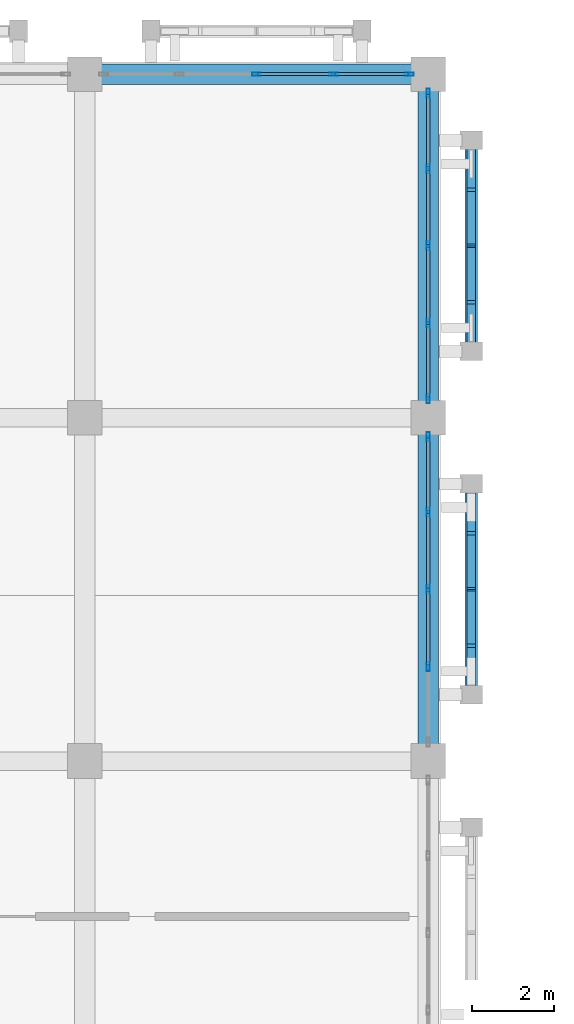
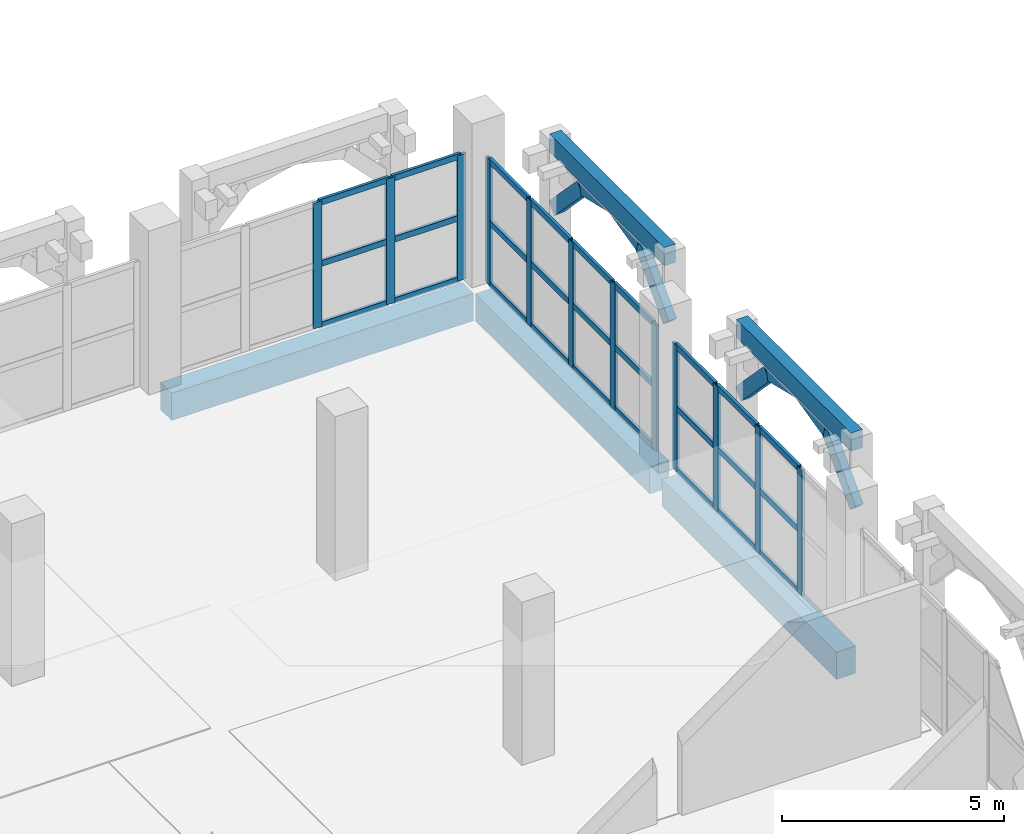
# One storey, part 57 of 129: 47 members, 5 beams, 3 elements without a shape of their own.
"""IFC4 building model written with IfcOpenShell, lengths in metres."""

from ifc_helpers import new_model, si_unit, direction, frame, origin, origin_2d, place, context, subcontext, project, spatial, rectangle, hollow_rectangle, extrude, material, layer, layer_set, material_profile, profile_set, type_object, element, aggregate, save


model = new_model("IFC4")

# Units and contexts
model_context = context("Model", 3, precision=1e-05, world=origin(), true_north=direction((0.0, 1.0)))
body_context = subcontext(model_context, "Body", "Model", "MODEL_VIEW")
ifc_project = project(units=[si_unit("LENGTHUNIT", "METRE"), si_unit("AREAUNIT", "SQUARE_METRE"), si_unit("VOLUMEUNIT", "CUBIC_METRE"), si_unit("PLANEANGLEUNIT", "RADIAN"), si_unit("MASSUNIT", "GRAM", prefix="KILO")], contexts=[model_context])

# Site, building, storey
site_placement = place(None, origin())
site = spatial("IfcSite", under=ifc_project, at=site_placement, CompositionType="ELEMENT")
building_placement = place(site_placement, origin())
building = spatial("IfcBuilding", under=site, at=building_placement, Name="Xazarin Passage Department Store", CompositionType="ELEMENT")
storey_placement = place(building_placement, frame((0.0, 0.0, 9.89990234375)))
storey = spatial("IfcBuildingStorey", under=building, at=storey_placement, Name="L02", CompositionType="ELEMENT", Elevation=9.89990234375)

# Curtain wall, members
ifc_material_1 = material(Name="Bronze anodised aluminium", Category="aluminium")
ifc_layer = layer(ifc_material_1, 0.199951171875)
ifc_layer_set = layer_set([ifc_layer], Name="Bronze anodised aluminium")
curtain_wall_type = type_object("IfcCurtainWallType", Name="ARC-CW-VIT2", PredefinedType="NOTDEFINED", material=ifc_layer_set)
curtain_wall_1_placement = place(storey_placement, origin())
curtain_wall_1 = element("IfcCurtainWall", 1, at=curtain_wall_1_placement, inside=storey, type_object=curtain_wall_type, Name="L02 V1 Curtain Wall 044", PredefinedType="NOTDEFINED")
ifc_material_profile_1 = material_profile(ifc_material_1, hollow_rectangle(XDim=0.074951171875, YDim=0.219970703125, WallThickness=0.0048828125, at=origin_2d()), Name="ALU 75x220")
ifc_profile_set_1 = profile_set([ifc_material_profile_1], Name="Bronze anodised aluminium")
member_type_1 = type_object("IfcMemberType", Name="ARC-CWM-75x220", PredefinedType="MULLION", material=ifc_profile_set_1)
member_1_placement = place(storey_placement, frame((46.199951171875, 110.0, 0.0), z_axis=(0.0, 0.0, 1.0), x_axis=(0.0, 1.0, 0.0)))
member_1 = element("IfcMember", 2, at=member_1_placement, type_object=member_type_1, Name="CW2 mullion 3", PredefinedType="MULLION", context=body_context, shape_type="SweptSolid", body=[
    extrude(hollow_rectangle(XDim=0.074951171875, YDim=0.219970703125, WallThickness=0.0048828125, at=origin_2d()), origin(), (0.0, 0.0, 1.0), 3.4501953125),
])
member_2_placement = place(storey_placement, frame((48.08740234375, 110.0, 0.0), z_axis=(0.0, 0.0, 1.0), x_axis=(0.0, 1.0, 0.0)))
member_2 = element("IfcMember", 3, at=member_2_placement, type_object=member_type_1, Name="CW2 mullion 4", PredefinedType="MULLION", context=body_context, shape_type="SweptSolid", body=[
    extrude(hollow_rectangle(XDim=0.074951171875, YDim=0.219970703125, WallThickness=0.0048828125, at=origin_2d()), origin(), (0.0, 0.0, 1.0), 3.4501953125),
])
member_3_placement = place(storey_placement, frame((49.9375, 110.0, 0.0), z_axis=(0.0, 0.0, 1.0), x_axis=(0.0, 1.0, 0.0)))
member_3 = element("IfcMember", 4, at=member_3_placement, type_object=member_type_1, Name="CW2 mullion 5", PredefinedType="MULLION", context=body_context, shape_type="SweptSolid", body=[
    extrude(hollow_rectangle(XDim=0.074951171875, YDim=0.219970703125, WallThickness=0.0048828125, at=origin_2d()), origin(), (0.0, 0.0, 1.0), 3.4501953125),
])

curtain_wall_2_placement = place(storey_placement, origin())
curtain_wall_2 = element("IfcCurtainWall", 5, at=curtain_wall_2_placement, inside=storey, type_object=curtain_wall_type, Name="L02 V1 Curtain Wall 053", PredefinedType="NOTDEFINED")
member_4_placement = place(storey_placement, frame((50.39990234375, 95.512451171875, 0.0), z_axis=(0.0, 0.0, 1.0), x_axis=(-1.0, 0.0, 0.0)))
member_4 = element("IfcMember", 6, at=member_4_placement, type_object=member_type_1, Name="CW2 mullion 2", PredefinedType="MULLION", context=body_context, shape_type="SweptSolid", body=[
    extrude(hollow_rectangle(XDim=0.074951171875, YDim=0.219970703125, WallThickness=0.0048828125, at=origin_2d()), origin(), (0.0, 0.0, 1.0), 3.4501953125),
])
member_5_placement = place(storey_placement, frame((50.39990234375, 97.39990234375, 0.0), z_axis=(0.0, 0.0, 1.0), x_axis=(-1.0, 0.0, 0.0)))
member_5 = element("IfcMember", 7, at=member_5_placement, type_object=member_type_1, Name="CW2 mullion 3", PredefinedType="MULLION", context=body_context, shape_type="SweptSolid", body=[
    extrude(hollow_rectangle(XDim=0.074951171875, YDim=0.219970703125, WallThickness=0.0048828125, at=origin_2d()), origin(), (0.0, 0.0, 1.0), 3.4501953125),
])
member_6_placement = place(storey_placement, frame((50.39990234375, 99.28759765625, 0.0), z_axis=(0.0, 0.0, 1.0), x_axis=(-1.0, 0.0, 0.0)))
member_6 = element("IfcMember", 8, at=member_6_placement, type_object=member_type_1, Name="CW2 mullion 4", PredefinedType="MULLION", context=body_context, shape_type="SweptSolid", body=[
    extrude(hollow_rectangle(XDim=0.074951171875, YDim=0.219970703125, WallThickness=0.0048828125, at=origin_2d()), origin(), (0.0, 0.0, 1.0), 3.4501953125),
])
member_7_placement = place(storey_placement, frame((50.39990234375, 101.137451171875, 0.0), z_axis=(0.0, 0.0, 1.0), x_axis=(-1.0, 0.0, 0.0)))
member_7 = element("IfcMember", 9, at=member_7_placement, type_object=member_type_1, Name="CW2 mullion 5", PredefinedType="MULLION", context=body_context, shape_type="SweptSolid", body=[
    extrude(hollow_rectangle(XDim=0.074951171875, YDim=0.219970703125, WallThickness=0.0048828125, at=origin_2d()), origin(), (0.0, 0.0, 1.0), 3.4501953125),
])

curtain_wall_3_placement = place(storey_placement, origin())
curtain_wall_3 = element("IfcCurtainWall", 10, at=curtain_wall_3_placement, inside=storey, type_object=curtain_wall_type, Name="L02 V1 Curtain Wall 054", PredefinedType="NOTDEFINED")
member_8_placement = place(storey_placement, frame((50.39990234375, 102.0625, 0.0), z_axis=(0.0, 0.0, 1.0), x_axis=(-1.0, 0.0, 0.0)))
member_8 = element("IfcMember", 11, at=member_8_placement, type_object=member_type_1, Name="CW2 mullion 1", PredefinedType="MULLION", context=body_context, shape_type="SweptSolid", body=[
    extrude(hollow_rectangle(XDim=0.074951171875, YDim=0.219970703125, WallThickness=0.0048828125, at=origin_2d()), origin(), (0.0, 0.0, 1.0), 3.4501953125),
])
member_9_placement = place(storey_placement, frame((50.39990234375, 103.91259765625, 0.0), z_axis=(0.0, 0.0, 1.0), x_axis=(-1.0, 0.0, 0.0)))
member_9 = element("IfcMember", 12, at=member_9_placement, type_object=member_type_1, Name="CW2 mullion 2", PredefinedType="MULLION", context=body_context, shape_type="SweptSolid", body=[
    extrude(hollow_rectangle(XDim=0.074951171875, YDim=0.219970703125, WallThickness=0.0048828125, at=origin_2d()), origin(), (0.0, 0.0, 1.0), 3.4501953125),
])
member_10_placement = place(storey_placement, frame((50.39990234375, 105.800048828125, 0.0), z_axis=(0.0, 0.0, 1.0), x_axis=(-1.0, 0.0, 0.0)))
member_10 = element("IfcMember", 13, at=member_10_placement, type_object=member_type_1, Name="CW2 mullion 3", PredefinedType="MULLION", context=body_context, shape_type="SweptSolid", body=[
    extrude(hollow_rectangle(XDim=0.074951171875, YDim=0.219970703125, WallThickness=0.0048828125, at=origin_2d()), origin(), (0.0, 0.0, 1.0), 3.4501953125),
])
member_11_placement = place(storey_placement, frame((50.39990234375, 107.6875, 0.0), z_axis=(0.0, 0.0, 1.0), x_axis=(-1.0, 0.0, 0.0)))
member_11 = element("IfcMember", 14, at=member_11_placement, type_object=member_type_1, Name="CW2 mullion 4", PredefinedType="MULLION", context=body_context, shape_type="SweptSolid", body=[
    extrude(hollow_rectangle(XDim=0.074951171875, YDim=0.219970703125, WallThickness=0.0048828125, at=origin_2d()), origin(), (0.0, 0.0, 1.0), 3.4501953125),
])
member_12_placement = place(storey_placement, frame((50.39990234375, 109.53759765625, 0.0), z_axis=(0.0, 0.0, 1.0), x_axis=(-1.0, 0.0, 0.0)))
member_12 = element("IfcMember", 15, at=member_12_placement, type_object=member_type_1, Name="CW2 mullion 5", PredefinedType="MULLION", context=body_context, shape_type="SweptSolid", body=[
    extrude(hollow_rectangle(XDim=0.074951171875, YDim=0.219970703125, WallThickness=0.0048828125, at=origin_2d()), origin(), (0.0, 0.0, 1.0), 3.4501953125),
])

# Member
ifc_material_profile_2 = material_profile(ifc_material_1, hollow_rectangle(XDim=0.074951171875, YDim=0.159912109375, WallThickness=0.00439453125, at=origin_2d()), Name="ALU 75x160")
ifc_profile_set_2 = profile_set([ifc_material_profile_2], Name="Bronze anodised aluminium")
member_type_2 = type_object("IfcMemberType", Name="ARC-CWT-75x160", PredefinedType="USERDEFINED", material=ifc_profile_set_2)
member_13_placement = place(storey_placement, frame((46.237548828125, 110.0, 0.03759765625), z_axis=(1.0, 0.0, 0.0), x_axis=(0.0, 1.0, 0.0)))
member_13 = element("IfcMember", 16, at=member_13_placement, type_object=member_type_2, Name="CW2 transom 3.1", ObjectType="TRANSOM", PredefinedType="USERDEFINED", context=body_context, shape_type="SweptSolid", body=[
    extrude(hollow_rectangle(XDim=0.074951171875, YDim=0.159912109375, WallThickness=0.00439453125, at=origin_2d()), origin(), (0.0, 0.0, 1.0), 1.8125),
])

member_14_placement = place(storey_placement, frame((46.237548828125, 110.0, 1.72509765625), z_axis=(1.0, 0.0, 0.0), x_axis=(0.0, 1.0, 0.0)))
member_14 = element("IfcMember", 17, at=member_14_placement, type_object=member_type_2, Name="CW2 transom 3.2", ObjectType="TRANSOM", PredefinedType="USERDEFINED", context=body_context, shape_type="SweptSolid", body=[
    extrude(hollow_rectangle(XDim=0.074951171875, YDim=0.159912109375, WallThickness=0.00439453125, at=origin_2d()), origin(), (0.0, 0.0, 1.0), 1.8125),
])

member_15_placement = place(storey_placement, frame((46.237548828125, 110.0, 3.41259765625), z_axis=(1.0, 0.0, 0.0), x_axis=(0.0, 1.0, 0.0)))
member_15 = element("IfcMember", 18, at=member_15_placement, type_object=member_type_2, Name="CW2 transom 3.3", ObjectType="TRANSOM", PredefinedType="USERDEFINED", context=body_context, shape_type="SweptSolid", body=[
    extrude(hollow_rectangle(XDim=0.074951171875, YDim=0.159912109375, WallThickness=0.00439453125, at=origin_2d()), origin(), (0.0, 0.0, 1.0), 1.8125),
])

member_16_placement = place(storey_placement, frame((48.125, 110.0, 0.03759765625), z_axis=(1.0, 0.0, 0.0), x_axis=(0.0, 1.0, 0.0)))
member_16 = element("IfcMember", 19, at=member_16_placement, type_object=member_type_2, Name="CW2 transom 4.1", ObjectType="TRANSOM", PredefinedType="USERDEFINED", context=body_context, shape_type="SweptSolid", body=[
    extrude(hollow_rectangle(XDim=0.074951171875, YDim=0.159912109375, WallThickness=0.00439453125, at=origin_2d()), origin(), (0.0, 0.0, 1.0), 1.77490234375),
])

member_17_placement = place(storey_placement, frame((48.125, 110.0, 1.72509765625), z_axis=(1.0, 0.0, 0.0), x_axis=(0.0, 1.0, 0.0)))
member_17 = element("IfcMember", 20, at=member_17_placement, type_object=member_type_2, Name="CW2 transom 4.2", ObjectType="TRANSOM", PredefinedType="USERDEFINED", context=body_context, shape_type="SweptSolid", body=[
    extrude(hollow_rectangle(XDim=0.074951171875, YDim=0.159912109375, WallThickness=0.00439453125, at=origin_2d()), origin(), (0.0, 0.0, 1.0), 1.77490234375),
])

member_18_placement = place(storey_placement, frame((48.125, 110.0, 3.41259765625), z_axis=(1.0, 0.0, 0.0), x_axis=(0.0, 1.0, 0.0)))
member_18 = element("IfcMember", 21, at=member_18_placement, type_object=member_type_2, Name="CW2 transom 4.3", ObjectType="TRANSOM", PredefinedType="USERDEFINED", context=body_context, shape_type="SweptSolid", body=[
    extrude(hollow_rectangle(XDim=0.074951171875, YDim=0.159912109375, WallThickness=0.00439453125, at=origin_2d()), origin(), (0.0, 0.0, 1.0), 1.77490234375),
])

aggregate(curtain_wall_1, [member_1, member_2, member_3, member_13, member_14, member_15, member_16, member_17, member_18])

member_19_placement = place(storey_placement, frame((50.39990234375, 95.550048828125, 0.03759765625), z_axis=(0.0, 1.0, 0.0), x_axis=(-1.0, 0.0, 0.0)))
member_19 = element("IfcMember", 22, at=member_19_placement, type_object=member_type_2, Name="CW2 transom 2.1", ObjectType="TRANSOM", PredefinedType="USERDEFINED", context=body_context, shape_type="SweptSolid", body=[
    extrude(hollow_rectangle(XDim=0.074951171875, YDim=0.159912109375, WallThickness=0.00439453125, at=origin_2d()), origin(), (0.0, 0.0, 1.0), 1.8125),
])

member_20_placement = place(storey_placement, frame((50.39990234375, 95.550048828125, 1.72509765625), z_axis=(0.0, 1.0, 0.0), x_axis=(-1.0, 0.0, 0.0)))
member_20 = element("IfcMember", 23, at=member_20_placement, type_object=member_type_2, Name="CW2 transom 2.2", ObjectType="TRANSOM", PredefinedType="USERDEFINED", context=body_context, shape_type="SweptSolid", body=[
    extrude(hollow_rectangle(XDim=0.074951171875, YDim=0.159912109375, WallThickness=0.00439453125, at=origin_2d()), origin(), (0.0, 0.0, 1.0), 1.8125),
])

member_21_placement = place(storey_placement, frame((50.39990234375, 95.550048828125, 3.41259765625), z_axis=(0.0, 1.0, 0.0), x_axis=(-1.0, 0.0, 0.0)))
member_21 = element("IfcMember", 24, at=member_21_placement, type_object=member_type_2, Name="CW2 transom 2.3", ObjectType="TRANSOM", PredefinedType="USERDEFINED", context=body_context, shape_type="SweptSolid", body=[
    extrude(hollow_rectangle(XDim=0.074951171875, YDim=0.159912109375, WallThickness=0.00439453125, at=origin_2d()), origin(), (0.0, 0.0, 1.0), 1.8125),
])

member_22_placement = place(storey_placement, frame((50.39990234375, 97.4375, 0.03759765625), z_axis=(0.0, 1.0, 0.0), x_axis=(-1.0, 0.0, 0.0)))
member_22 = element("IfcMember", 25, at=member_22_placement, type_object=member_type_2, Name="CW2 transom 3.1", ObjectType="TRANSOM", PredefinedType="USERDEFINED", context=body_context, shape_type="SweptSolid", body=[
    extrude(hollow_rectangle(XDim=0.074951171875, YDim=0.159912109375, WallThickness=0.00439453125, at=origin_2d()), origin(), (0.0, 0.0, 1.0), 1.8125),
])

member_23_placement = place(storey_placement, frame((50.39990234375, 97.4375, 1.72509765625), z_axis=(0.0, 1.0, 0.0), x_axis=(-1.0, 0.0, 0.0)))
member_23 = element("IfcMember", 26, at=member_23_placement, type_object=member_type_2, Name="CW2 transom 3.2", ObjectType="TRANSOM", PredefinedType="USERDEFINED", context=body_context, shape_type="SweptSolid", body=[
    extrude(hollow_rectangle(XDim=0.074951171875, YDim=0.159912109375, WallThickness=0.00439453125, at=origin_2d()), origin(), (0.0, 0.0, 1.0), 1.8125),
])

member_24_placement = place(storey_placement, frame((50.39990234375, 97.4375, 3.41259765625), z_axis=(0.0, 1.0, 0.0), x_axis=(-1.0, 0.0, 0.0)))
member_24 = element("IfcMember", 27, at=member_24_placement, type_object=member_type_2, Name="CW2 transom 3.3", ObjectType="TRANSOM", PredefinedType="USERDEFINED", context=body_context, shape_type="SweptSolid", body=[
    extrude(hollow_rectangle(XDim=0.074951171875, YDim=0.159912109375, WallThickness=0.00439453125, at=origin_2d()), origin(), (0.0, 0.0, 1.0), 1.8125),
])

member_25_placement = place(storey_placement, frame((50.39990234375, 99.324951171875, 0.03759765625), z_axis=(0.0, 1.0, 0.0), x_axis=(-1.0, 0.0, 0.0)))
member_25 = element("IfcMember", 28, at=member_25_placement, type_object=member_type_2, Name="CW2 transom 4.1", ObjectType="TRANSOM", PredefinedType="USERDEFINED", context=body_context, shape_type="SweptSolid", body=[
    extrude(hollow_rectangle(XDim=0.074951171875, YDim=0.159912109375, WallThickness=0.00439453125, at=origin_2d()), origin(), (0.0, 0.0, 1.0), 1.775146484375),
])

member_26_placement = place(storey_placement, frame((50.39990234375, 99.324951171875, 1.72509765625), z_axis=(0.0, 1.0, 0.0), x_axis=(-1.0, 0.0, 0.0)))
member_26 = element("IfcMember", 29, at=member_26_placement, type_object=member_type_2, Name="CW2 transom 4.2", ObjectType="TRANSOM", PredefinedType="USERDEFINED", context=body_context, shape_type="SweptSolid", body=[
    extrude(hollow_rectangle(XDim=0.074951171875, YDim=0.159912109375, WallThickness=0.00439453125, at=origin_2d()), origin(), (0.0, 0.0, 1.0), 1.775146484375),
])

member_27_placement = place(storey_placement, frame((50.39990234375, 99.324951171875, 3.41259765625), z_axis=(0.0, 1.0, 0.0), x_axis=(-1.0, 0.0, 0.0)))
member_27 = element("IfcMember", 30, at=member_27_placement, type_object=member_type_2, Name="CW2 transom 4.3", ObjectType="TRANSOM", PredefinedType="USERDEFINED", context=body_context, shape_type="SweptSolid", body=[
    extrude(hollow_rectangle(XDim=0.074951171875, YDim=0.159912109375, WallThickness=0.00439453125, at=origin_2d()), origin(), (0.0, 0.0, 1.0), 1.775146484375),
])

aggregate(curtain_wall_2, [member_4, member_5, member_6, member_7, member_19, member_20, member_21, member_22, member_23, member_24, member_25, member_26, member_27])

member_28_placement = place(storey_placement, frame((50.39990234375, 102.10009765625, 0.03759765625), z_axis=(0.0, 1.0, 0.0), x_axis=(-1.0, 0.0, 0.0)))
member_28 = element("IfcMember", 31, at=member_28_placement, type_object=member_type_2, Name="CW2 transom 1.1", ObjectType="TRANSOM", PredefinedType="USERDEFINED", context=body_context, shape_type="SweptSolid", body=[
    extrude(hollow_rectangle(XDim=0.074951171875, YDim=0.159912109375, WallThickness=0.00439453125, at=origin_2d()), origin(), (0.0, 0.0, 1.0), 1.77490234375),
])

member_29_placement = place(storey_placement, frame((50.39990234375, 102.10009765625, 1.72509765625), z_axis=(0.0, 1.0, 0.0), x_axis=(-1.0, 0.0, 0.0)))
member_29 = element("IfcMember", 32, at=member_29_placement, type_object=member_type_2, Name="CW2 transom 1.2", ObjectType="TRANSOM", PredefinedType="USERDEFINED", context=body_context, shape_type="SweptSolid", body=[
    extrude(hollow_rectangle(XDim=0.074951171875, YDim=0.159912109375, WallThickness=0.00439453125, at=origin_2d()), origin(), (0.0, 0.0, 1.0), 1.77490234375),
])

member_30_placement = place(storey_placement, frame((50.39990234375, 102.10009765625, 3.41259765625), z_axis=(0.0, 1.0, 0.0), x_axis=(-1.0, 0.0, 0.0)))
member_30 = element("IfcMember", 33, at=member_30_placement, type_object=member_type_2, Name="CW2 transom 1.3", ObjectType="TRANSOM", PredefinedType="USERDEFINED", context=body_context, shape_type="SweptSolid", body=[
    extrude(hollow_rectangle(XDim=0.074951171875, YDim=0.159912109375, WallThickness=0.00439453125, at=origin_2d()), origin(), (0.0, 0.0, 1.0), 1.77490234375),
])

member_31_placement = place(storey_placement, frame((50.39990234375, 103.949951171875, 0.03759765625), z_axis=(0.0, 1.0, 0.0), x_axis=(-1.0, 0.0, 0.0)))
member_31 = element("IfcMember", 34, at=member_31_placement, type_object=member_type_2, Name="CW2 transom 2.1", ObjectType="TRANSOM", PredefinedType="USERDEFINED", context=body_context, shape_type="SweptSolid", body=[
    extrude(hollow_rectangle(XDim=0.074951171875, YDim=0.159912109375, WallThickness=0.00439453125, at=origin_2d()), origin(), (0.0, 0.0, 1.0), 1.8125),
])

member_32_placement = place(storey_placement, frame((50.39990234375, 103.949951171875, 1.72509765625), z_axis=(0.0, 1.0, 0.0), x_axis=(-1.0, 0.0, 0.0)))
member_32 = element("IfcMember", 35, at=member_32_placement, type_object=member_type_2, Name="CW2 transom 2.2", ObjectType="TRANSOM", PredefinedType="USERDEFINED", context=body_context, shape_type="SweptSolid", body=[
    extrude(hollow_rectangle(XDim=0.074951171875, YDim=0.159912109375, WallThickness=0.00439453125, at=origin_2d()), origin(), (0.0, 0.0, 1.0), 1.8125),
])

member_33_placement = place(storey_placement, frame((50.39990234375, 103.949951171875, 3.41259765625), z_axis=(0.0, 1.0, 0.0), x_axis=(-1.0, 0.0, 0.0)))
member_33 = element("IfcMember", 36, at=member_33_placement, type_object=member_type_2, Name="CW2 transom 2.3", ObjectType="TRANSOM", PredefinedType="USERDEFINED", context=body_context, shape_type="SweptSolid", body=[
    extrude(hollow_rectangle(XDim=0.074951171875, YDim=0.159912109375, WallThickness=0.00439453125, at=origin_2d()), origin(), (0.0, 0.0, 1.0), 1.8125),
])

member_34_placement = place(storey_placement, frame((50.39990234375, 105.83740234375, 0.03759765625), z_axis=(0.0, 1.0, 0.0), x_axis=(-1.0, 0.0, 0.0)))
member_34 = element("IfcMember", 37, at=member_34_placement, type_object=member_type_2, Name="CW2 transom 3.1", ObjectType="TRANSOM", PredefinedType="USERDEFINED", context=body_context, shape_type="SweptSolid", body=[
    extrude(hollow_rectangle(XDim=0.074951171875, YDim=0.159912109375, WallThickness=0.00439453125, at=origin_2d()), origin(), (0.0, 0.0, 1.0), 1.8125),
])

member_35_placement = place(storey_placement, frame((50.39990234375, 105.83740234375, 1.72509765625), z_axis=(0.0, 1.0, 0.0), x_axis=(-1.0, 0.0, 0.0)))
member_35 = element("IfcMember", 38, at=member_35_placement, type_object=member_type_2, Name="CW2 transom 3.2", ObjectType="TRANSOM", PredefinedType="USERDEFINED", context=body_context, shape_type="SweptSolid", body=[
    extrude(hollow_rectangle(XDim=0.074951171875, YDim=0.159912109375, WallThickness=0.00439453125, at=origin_2d()), origin(), (0.0, 0.0, 1.0), 1.8125),
])

member_36_placement = place(storey_placement, frame((50.39990234375, 105.83740234375, 3.41259765625), z_axis=(0.0, 1.0, 0.0), x_axis=(-1.0, 0.0, 0.0)))
member_36 = element("IfcMember", 39, at=member_36_placement, type_object=member_type_2, Name="CW2 transom 3.3", ObjectType="TRANSOM", PredefinedType="USERDEFINED", context=body_context, shape_type="SweptSolid", body=[
    extrude(hollow_rectangle(XDim=0.074951171875, YDim=0.159912109375, WallThickness=0.00439453125, at=origin_2d()), origin(), (0.0, 0.0, 1.0), 1.8125),
])

member_37_placement = place(storey_placement, frame((50.39990234375, 107.72509765625, 0.03759765625), z_axis=(0.0, 1.0, 0.0), x_axis=(-1.0, 0.0, 0.0)))
member_37 = element("IfcMember", 40, at=member_37_placement, type_object=member_type_2, Name="CW2 transom 4.1", ObjectType="TRANSOM", PredefinedType="USERDEFINED", context=body_context, shape_type="SweptSolid", body=[
    extrude(hollow_rectangle(XDim=0.074951171875, YDim=0.159912109375, WallThickness=0.00439453125, at=origin_2d()), origin(), (0.0, 0.0, 1.0), 1.77490234375),
])

member_38_placement = place(storey_placement, frame((50.39990234375, 107.72509765625, 1.72509765625), z_axis=(0.0, 1.0, 0.0), x_axis=(-1.0, 0.0, 0.0)))
member_38 = element("IfcMember", 41, at=member_38_placement, type_object=member_type_2, Name="CW2 transom 4.2", ObjectType="TRANSOM", PredefinedType="USERDEFINED", context=body_context, shape_type="SweptSolid", body=[
    extrude(hollow_rectangle(XDim=0.074951171875, YDim=0.159912109375, WallThickness=0.00439453125, at=origin_2d()), origin(), (0.0, 0.0, 1.0), 1.77490234375),
])

member_39_placement = place(storey_placement, frame((50.39990234375, 107.72509765625, 3.41259765625), z_axis=(0.0, 1.0, 0.0), x_axis=(-1.0, 0.0, 0.0)))
member_39 = element("IfcMember", 42, at=member_39_placement, type_object=member_type_2, Name="CW2 transom 4.3", ObjectType="TRANSOM", PredefinedType="USERDEFINED", context=body_context, shape_type="SweptSolid", body=[
    extrude(hollow_rectangle(XDim=0.074951171875, YDim=0.159912109375, WallThickness=0.00439453125, at=origin_2d()), origin(), (0.0, 0.0, 1.0), 1.77490234375),
])

aggregate(curtain_wall_3, [member_8, member_9, member_10, member_11, member_12, member_28, member_29, member_30, member_31, member_32, member_33, member_34, member_35, member_36, member_37, member_38, member_39])

# Beams
ifc_material_2 = material(Name="Concrete C35/45", Category="concrete")
ifc_material_profile_3 = material_profile(ifc_material_2, rectangle(XDim=0.300048828125, YDim=0.5, at=origin_2d()), Name="RC 300x500")
ifc_profile_set_3 = profile_set([ifc_material_profile_3], Name="Concrete C35/45")
beam_type_1 = type_object("IfcBeamType", Name="STR-BM-LN300x500", PredefinedType="LINTEL", material=ifc_profile_set_3)
for number, where, z_axis, x_axis, name in (
    (43, (51.449951171875, 94.820068359375, 4.25), (0.0, 1.0, 0.0), (-1.0, 0.0, 0.0), "L02 V1 Colonnade Spandrel Beam 015"),
    (44, (51.449951171875, 103.219970703125, 4.25), (0.0, 1.0, 0.0), (-1.0, 0.0, 0.0), "L02 V1 Colonnade Spandrel Beam 016"),
):
    element("IfcBeam", number, at=place(storey_placement, frame(where, z_axis=z_axis, x_axis=x_axis)), inside=storey, type_object=beam_type_1, Name=name, PredefinedType="LINTEL", context=body_context, shape_type="SweptSolid", body=[
        extrude(rectangle(XDim=0.300048828125, YDim=0.5, at=origin_2d()), origin(), (0.0, 0.0, 1.0), 5.159912109375),
    ])
ifc_material_profile_4 = material_profile(ifc_material_2, rectangle(XDim=0.5, YDim=0.75, at=origin_2d()), Name="RC 500x750")
ifc_profile_set_4 = profile_set([ifc_material_profile_4], Name="Concrete C35/45")
beam_type_2 = type_object("IfcBeamType", Name="STR-BM-SP500x750", PredefinedType="SPANDREL", material=ifc_profile_set_4)
for number, where, z_axis, x_axis, name in (
    (45, (42.280029296875, 110.0, -0.6748046875), (1.0, 0.0, 0.0), (0.0, 1.0, 0.0), "L02 Grid Beam Q/6-7"),
    (46, (50.39990234375, 93.47998046875, -0.6748046875), (0.0, 1.0, 0.0), (-1.0, 0.0, 0.0), "L02 Grid Beam 7/N-P"),
    (47, (50.39990234375, 101.8798828125, -0.6748046875), (0.0, 1.0, 0.0), (-1.0, 0.0, 0.0), "L02 Grid Beam 7/P-Q"),
):
    element("IfcBeam", number, at=place(storey_placement, frame(where, z_axis=z_axis, x_axis=x_axis)), inside=storey, type_object=beam_type_2, Name=name, PredefinedType="SPANDREL", context=body_context, shape_type="SweptSolid", body=[
        extrude(rectangle(XDim=0.5, YDim=0.75, at=origin_2d()), origin(), (0.0, 0.0, 1.0), 7.840087890625),
    ])

# Members
ifc_material_3 = material(Name="Concrete C40/50", Category="concrete")
ifc_material_profile_5 = material_profile(ifc_material_3, rectangle(XDim=0.199951171875, YDim=0.360107421875, at=origin_2d()), Name="RC 200x360")
ifc_profile_set_5 = profile_set([ifc_material_profile_5], Name="Concrete C40/50")
member_type_3 = type_object("IfcMemberType", Name="STR-MEM-ARC360", PredefinedType="CHORD", material=ifc_profile_set_5)
member_40_placement = place(storey_placement, frame((51.449951171875, 94.820068359375, 2.43017578125), z_axis=(0.0, 0.693460080602, 0.720495049679), x_axis=(-1.0, 0.0, 0.0)))
element("IfcMember", 48, at=member_40_placement, inside=storey, type_object=member_type_3, Name="L02 V1 Pierced Lattice Curved Arch 015.1", PredefinedType="CHORD", context=body_context, shape_type="SweptSolid", body=[
    extrude(rectangle(XDim=0.199951171875, YDim=0.360107421875, at=origin_2d()), origin(), (0.0, 0.0, 1.0), 1.8603515625),
])
member_41_placement = place(storey_placement, frame((51.449951171875, 96.110107421875, 3.7705078125), z_axis=(0.0, 0.972383960415, 0.233386875224), x_axis=(-1.0, 0.0, 0.0)))
element("IfcMember", 49, at=member_41_placement, inside=storey, type_object=member_type_3, Name="L02 V1 Pierced Lattice Curved Arch 015.2", PredefinedType="CHORD", context=body_context, shape_type="SweptSolid", body=[
    extrude(rectangle(XDim=0.199951171875, YDim=0.360107421875, at=origin_2d()), origin(), (0.0, 0.0, 1.0), 1.326416015625),
])
member_42_placement = place(storey_placement, frame((51.449951171875, 97.39990234375, 4.080078125), z_axis=(0.0, 0.972393983317, -0.233345111818), x_axis=(-1.0, 0.0, 0.0)))
element("IfcMember", 50, at=member_42_placement, inside=storey, type_object=member_type_3, Name="L02 V1 Pierced Lattice Curved Arch 015.3", PredefinedType="CHORD", context=body_context, shape_type="SweptSolid", body=[
    extrude(rectangle(XDim=0.199951171875, YDim=0.360107421875, at=origin_2d()), origin(), (0.0, 0.0, 1.0), 1.32666015625),
])
for number, where, z_axis, x_axis, name in (
    (51, (51.449951171875, 98.68994140625, 3.7705078125), (0.0, 0.693460080602, -0.720495049679), (-1.0, 0.0, 0.0), "L02 V1 Pierced Lattice Curved Arch 015.4"),
    (52, (51.449951171875, 103.219970703125, 2.43017578125), (0.0, 0.693460080602, 0.720495049679), (-1.0, 0.0, 0.0), "L02 V1 Pierced Lattice Curved Arch 016.1"),
):
    element("IfcMember", number, at=place(storey_placement, frame(where, z_axis=z_axis, x_axis=x_axis)), inside=storey, type_object=member_type_3, Name=name, PredefinedType="CHORD", context=body_context, shape_type="SweptSolid", body=[
        extrude(rectangle(XDim=0.199951171875, YDim=0.360107421875, at=origin_2d()), origin(), (0.0, 0.0, 1.0), 1.8603515625),
    ])
for number, where, z_axis, x_axis, name in (
    (53, (51.449951171875, 104.510009765625, 3.7705078125), (0.0, 0.972393983317, 0.233345111818), (-1.0, 0.0, 0.0), "L02 V1 Pierced Lattice Curved Arch 016.2"),
    (54, (51.449951171875, 105.800048828125, 4.080078125), (0.0, 0.972393983317, -0.233345111818), (-1.0, 0.0, 0.0), "L02 V1 Pierced Lattice Curved Arch 016.3"),
):
    element("IfcMember", number, at=place(storey_placement, frame(where, z_axis=z_axis, x_axis=x_axis)), inside=storey, type_object=member_type_3, Name=name, PredefinedType="CHORD", context=body_context, shape_type="SweptSolid", body=[
        extrude(rectangle(XDim=0.199951171875, YDim=0.360107421875, at=origin_2d()), origin(), (0.0, 0.0, 1.0), 1.32666015625),
    ])
member_43_placement = place(storey_placement, frame((51.449951171875, 107.090087890625, 3.7705078125), z_axis=(0.0, 0.693391944082, -0.720560623322), x_axis=(-1.0, 0.0, 0.0)))
element("IfcMember", 55, at=member_43_placement, inside=storey, type_object=member_type_3, Name="L02 V1 Pierced Lattice Curved Arch 016.4", PredefinedType="CHORD", context=body_context, shape_type="SweptSolid", body=[
    extrude(rectangle(XDim=0.199951171875, YDim=0.360107421875, at=origin_2d()), origin(), (0.0, 0.0, 1.0), 1.860107421875),
])

save(model, "model.ifc")
